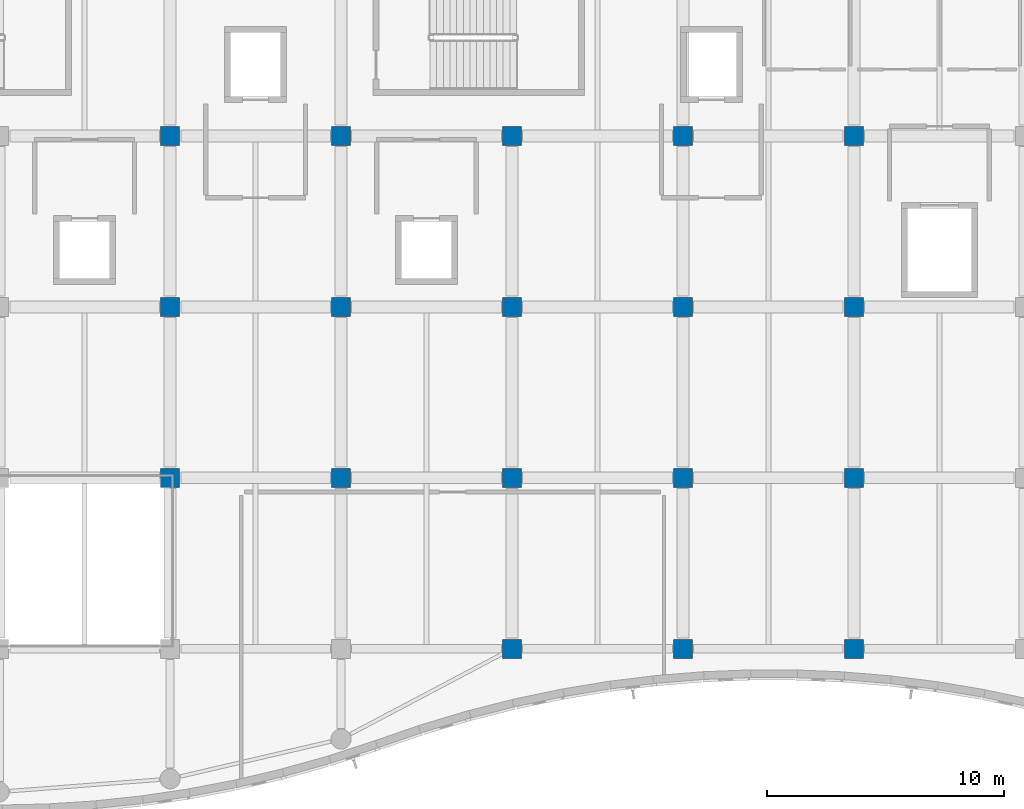
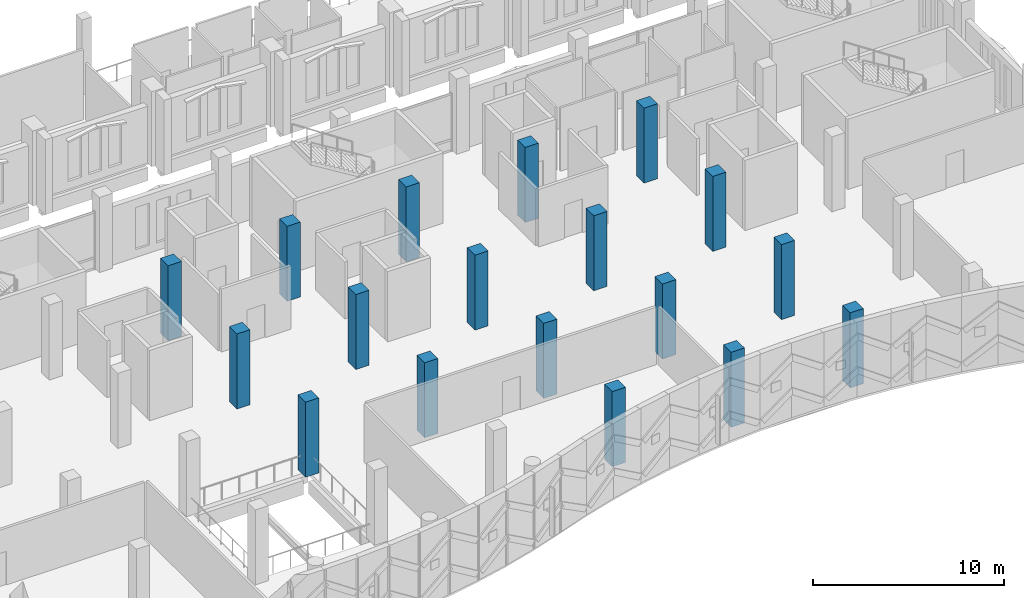
# One storey, part 14 of 220: 18 columns.
"""IFC4 building model written with IfcOpenShell, lengths in metres."""

from ifc_helpers import new_model, si_unit, direction, frame, origin, origin_2d, place, context, subcontext, project, spatial, rectangle, extrude, material, material_profile, profile_set, type_object, element, save


model = new_model("IFC4")

# Units and contexts
model_context = context("Model", 3, precision=1e-05, world=origin(), true_north=direction((0.0, 1.0)))
body_context = subcontext(model_context, "Body", "Model", "MODEL_VIEW")
ifc_project = project(units=[si_unit("LENGTHUNIT", "METRE"), si_unit("AREAUNIT", "SQUARE_METRE"), si_unit("VOLUMEUNIT", "CUBIC_METRE"), si_unit("PLANEANGLEUNIT", "RADIAN"), si_unit("MASSUNIT", "GRAM", prefix="KILO")], contexts=[model_context])

# Site, building, storey
site_placement = place(None, origin())
site = spatial("IfcSite", under=ifc_project, at=site_placement, CompositionType="ELEMENT")
building_placement = place(site_placement, origin())
building = spatial("IfcBuilding", under=site, at=building_placement, Name="Cendralis Lancet Convention Centre", CompositionType="ELEMENT")
storey_placement = place(building_placement, frame((0.0, 0.0, 5.39990234375)))
storey = spatial("IfcBuildingStorey", under=building, at=storey_placement, Name="L01", CompositionType="ELEMENT", Elevation=5.39990234375)

# Columns
ifc_material = material(Name="Concrete G40 (C40/50)", Category="concrete")
ifc_material_profile = material_profile(ifc_material, rectangle(XDim=0.800048828125, YDim=0.800048828125, at=origin_2d()), Name="RC 800x800")
ifc_profile_set = profile_set([ifc_material_profile], Name="Concrete G40 (C40/50)")
column_type = type_object("IfcColumnType", Name="STR-COL-C05-INT", PredefinedType="COLUMN", material=ifc_profile_set)
for number, where, z_axis, x_axis, name in (
    (1, (160.800048828125, 14.39990234375, 0.0), (0.0, 0.0, 1.0), (1.0, 0.0, 0.0), "L01 Column C05 at 160.8,14.4"),
    (2, (160.800048828125, 21.60009765625, 0.0), (0.0, 0.0, 1.0), (1.0, 0.0, 0.0), "L01 Column C05 at 160.8,21.6"),
    (3, (160.800048828125, 28.800048828125, 0.0), (0.0, 0.0, 1.0), (1.0, 0.0, 0.0), "L01 Column C05 at 160.8,28.8"),
    (4, (168.0, 14.39990234375, 0.0), (0.0, 0.0, 1.0), (1.0, 0.0, 0.0), "L01 Column C05 at 168.0,14.4"),
    (5, (168.0, 21.60009765625, 0.0), (0.0, 0.0, 1.0), (1.0, 0.0, 0.0), "L01 Column C05 at 168.0,21.6"),
    (6, (168.0, 28.800048828125, 0.0), (0.0, 0.0, 1.0), (1.0, 0.0, 0.0), "L01 Column C05 at 168.0,28.8"),
    (7, (175.199951171875, 7.199951171875, 0.0), (0.0, 0.0, 1.0), (1.0, 0.0, 0.0), "L01 Column C05 at 175.2,7.2"),
    (8, (175.199951171875, 14.39990234375, 0.0), (0.0, 0.0, 1.0), (1.0, 0.0, 0.0), "L01 Column C05 at 175.2,14.4"),
    (9, (175.199951171875, 21.60009765625, 0.0), (0.0, 0.0, 1.0), (1.0, 0.0, 0.0), "L01 Column C05 at 175.2,21.6"),
    (10, (175.199951171875, 28.800048828125, 0.0), (0.0, 0.0, 1.0), (1.0, 0.0, 0.0), "L01 Column C05 at 175.2,28.8"),
    (11, (182.39990234375, 7.199951171875, 0.0), (0.0, 0.0, 1.0), (1.0, 0.0, 0.0), "L01 Column C05 at 182.4,7.2"),
    (12, (182.39990234375, 14.39990234375, 0.0), (0.0, 0.0, 1.0), (1.0, 0.0, 0.0), "L01 Column C05 at 182.4,14.4"),
    (13, (182.39990234375, 21.60009765625, 0.0), (0.0, 0.0, 1.0), (1.0, 0.0, 0.0), "L01 Column C05 at 182.4,21.6"),
    (14, (182.39990234375, 28.800048828125, 0.0), (0.0, 0.0, 1.0), (1.0, 0.0, 0.0), "L01 Column C05 at 182.4,28.8"),
    (15, (189.60009765625, 7.199951171875, 0.0), (0.0, 0.0, 1.0), (1.0, 0.0, 0.0), "L01 Column C05 at 189.6,7.2"),
    (16, (189.60009765625, 14.39990234375, 0.0), (0.0, 0.0, 1.0), (1.0, 0.0, 0.0), "L01 Column C05 at 189.6,14.4"),
    (17, (189.60009765625, 21.60009765625, 0.0), (0.0, 0.0, 1.0), (1.0, 0.0, 0.0), "L01 Column C05 at 189.6,21.6"),
    (18, (189.60009765625, 28.800048828125, 0.0), (0.0, 0.0, 1.0), (1.0, 0.0, 0.0), "L01 Column C05 at 189.6,28.8"),
):
    element("IfcColumn", number, at=place(storey_placement, frame(where, z_axis=z_axis, x_axis=x_axis)), inside=storey, type_object=column_type, Name=name, PredefinedType="COLUMN", context=body_context, shape_type="SweptSolid", body=[
        extrude(rectangle(XDim=0.800048828125, YDim=0.800048828125, at=origin_2d()), origin(), (0.0, 0.0, 1.0), 4.800048828125),
    ])

save(model, "model.ifc")
